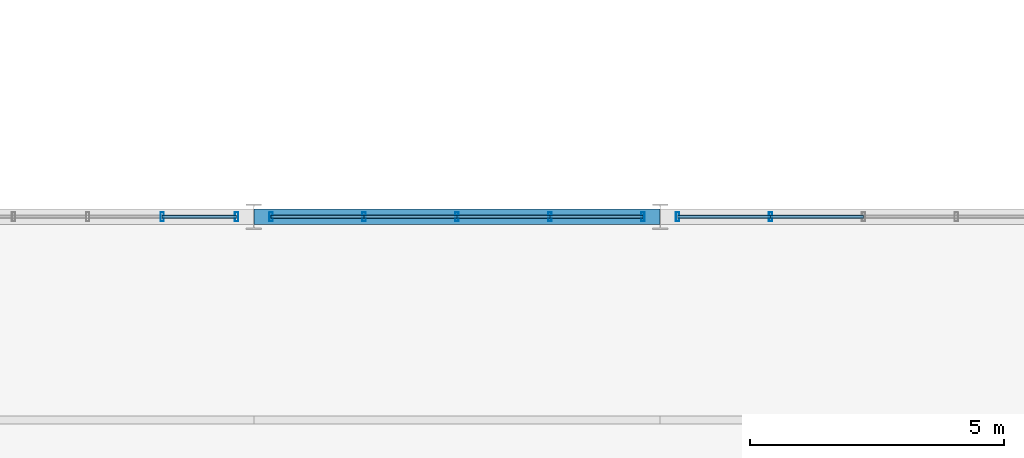
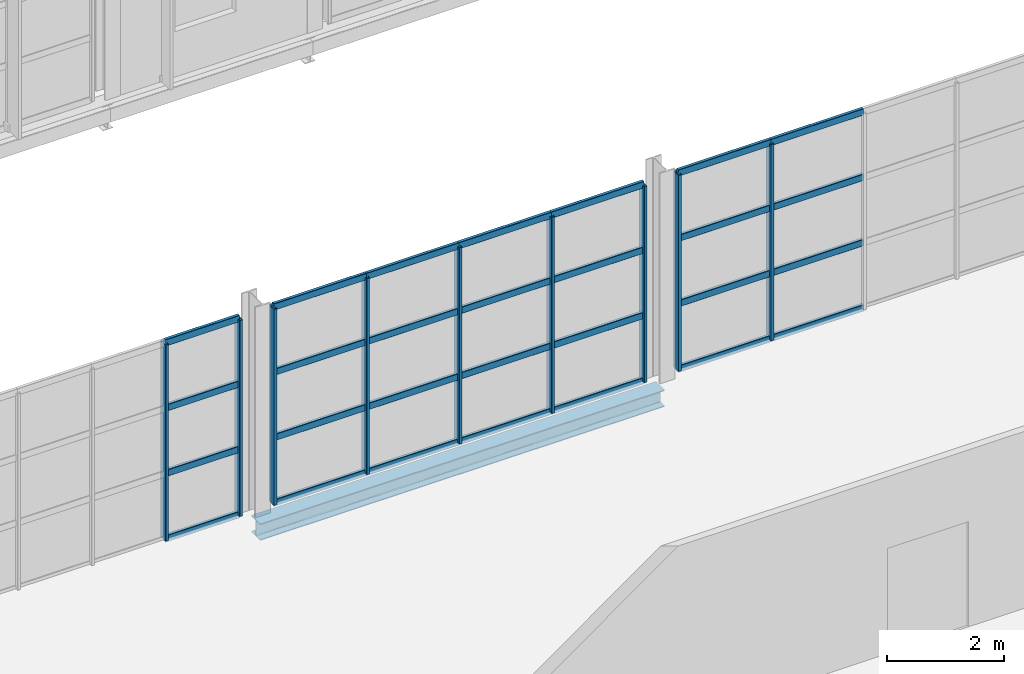
# One storey, part 111 of 153: 37 members, 1 beam, 3 elements without a shape of their own.
"""IFC4 building model written with IfcOpenShell, lengths in metres."""

from ifc_helpers import new_model, si_unit, derived_unit, direction, frame, origin, origin_2d, place, context, subcontext, project, spatial, hollow_rectangle, i_section, extrude, material, material_profile, profile_set, type_object, element, aggregate, save


model = new_model("IFC4")

# Units and contexts
model_context = context("Model", 3, precision=1e-05, world=origin(), true_north=direction((0.0, 1.0)))
body_context = subcontext(model_context, "Body", "Model", "MODEL_VIEW")
ifc_project = project(units=[si_unit("LENGTHUNIT", "METRE"), si_unit("AREAUNIT", "SQUARE_METRE"), si_unit("VOLUMEUNIT", "CUBIC_METRE"), si_unit("PLANEANGLEUNIT", "RADIAN"), si_unit("MASSUNIT", "GRAM", prefix="KILO"), derived_unit("THERMALTRANSMITTANCEUNIT", [(si_unit("POWERUNIT", "WATT"), 1), (si_unit("LENGTHUNIT", "METRE"), -2), (si_unit("THERMODYNAMICTEMPERATUREUNIT", "KELVIN"), -1)])], contexts=[model_context])

# Site, building, storey
site_placement = place(None, origin())
site = spatial("IfcSite", under=ifc_project, at=site_placement, CompositionType="ELEMENT")
building_placement = place(site_placement, origin())
building = spatial("IfcBuilding", under=site, at=building_placement, Name="Keldorne Ridge Multi-Sports Centre", CompositionType="ELEMENT")
storey_placement = place(building_placement, frame((0.0, 0.0, 9.60009765625)))
storey = spatial("IfcBuildingStorey", under=building, at=storey_placement, Name="L02", CompositionType="ELEMENT", Elevation=9.60009765625)

# Beam
ifc_material_1 = material(Name="Steel S355", Category="steel")
ifc_material_profile_1 = material_profile(ifc_material_1, i_section(OverallWidth=0.300048828125, OverallDepth=0.35009765625, WebThickness=0.010009765625, FlangeThickness=0.017578125, FilletRadius=0.027099609375, at=origin_2d()), Name="HEA 360")
ifc_profile_set_1 = profile_set([ifc_material_profile_1], Name="Steel S355")
beam_type = type_object("IfcBeamType", Name="BM-SP-03", PredefinedType="SPANDREL", material=ifc_profile_set_1)
beam_placement = place(storey_placement, frame((136.0, 54.0, -0.4150390625), z_axis=(1.0, 0.0, 0.0), x_axis=(0.0, 1.0, 0.0)))
element("IfcBeam", 1, at=beam_placement, inside=storey, type_object=beam_type, Name="L02 Stacked Courts beam 5.13", PredefinedType="SPANDREL", context=body_context, shape_type="SweptSolid", body=[
    extrude(i_section(OverallWidth=0.300048828125, OverallDepth=0.35009765625, WebThickness=0.010009765625, FlangeThickness=0.017578125, FilletRadius=0.027099609375, at=origin_2d()), origin(), (0.0, 0.0, 1.0), 8.0),
])

# Curtain wall, members
ifc_material_2 = material(Name="Anodized aluminium", Category="aluminium")
curtain_wall_type_1 = type_object("IfcCurtainWallType", Name="CW-CW-07", PredefinedType="NOTDEFINED", material=ifc_material_2)
curtain_wall_1_placement = place(storey_placement, origin())
curtain_wall_1 = element("IfcCurtainWall", 2, at=curtain_wall_1_placement, inside=storey, type_object=curtain_wall_type_1, Name="Upper Courts north glazing 111", PredefinedType="NOTDEFINED")
ifc_material_profile_2 = material_profile(ifc_material_2, hollow_rectangle(XDim=0.06494140625, YDim=0.179931640625, WallThickness=0.00439453125, InnerFilletRadius=0.00439453125, OuterFilletRadius=0.009033203125, at=origin_2d()), Name="ALU MULLION 180x65x4.5")
ifc_profile_set_2 = profile_set([ifc_material_profile_2], Name="Anodized aluminium")
member_type_1 = type_object("IfcMemberType", Name="MEM-ML-01", PredefinedType="MULLION", material=ifc_profile_set_2)
member_1_placement = place(storey_placement, frame((135.659912109375, 54.0, 0.0), z_axis=(0.0, 0.0, 1.0), x_axis=(1.0, 0.0, 0.0)))
member_1 = element("IfcMember", 3, at=member_1_placement, type_object=member_type_1, Name="CW-111 vertical mullion 1", PredefinedType="MULLION", context=body_context, shape_type="SweptSolid", body=[
    extrude(hollow_rectangle(XDim=0.06494140625, YDim=0.179931640625, WallThickness=0.00439453125, InnerFilletRadius=0.00439453125, OuterFilletRadius=0.009033203125, at=origin_2d()), origin(), (0.0, 0.0, 1.0), 4.099853515625),
])
member_2_placement = place(storey_placement, frame((134.196044921875, 54.0, 0.0), z_axis=(0.0, 0.0, 1.0), x_axis=(1.0, 0.0, 0.0)))
member_2 = element("IfcMember", 4, at=member_2_placement, type_object=member_type_1, Name="CW-111 vertical mullion 2", PredefinedType="MULLION", context=body_context, shape_type="SweptSolid", body=[
    extrude(hollow_rectangle(XDim=0.06494140625, YDim=0.179931640625, WallThickness=0.00439453125, InnerFilletRadius=0.00439453125, OuterFilletRadius=0.009033203125, at=origin_2d()), origin(), (0.0, 0.0, 1.0), 4.099853515625),
])

curtain_wall_type_2 = type_object("IfcCurtainWallType", Name="CW-CW-05", PredefinedType="NOTDEFINED", material=ifc_material_2)
curtain_wall_2_placement = place(storey_placement, origin())
curtain_wall_2 = element("IfcCurtainWall", 5, at=curtain_wall_2_placement, inside=storey, type_object=curtain_wall_type_2, Name="Upper Courts north glazing 117", PredefinedType="NOTDEFINED")
member_3_placement = place(storey_placement, frame((143.659912109375, 54.0, 0.0), z_axis=(0.0, 0.0, 1.0), x_axis=(1.0, 0.0, 0.0)))
member_3 = element("IfcMember", 6, at=member_3_placement, type_object=member_type_1, Name="CW-117 vertical mullion 1", PredefinedType="MULLION", context=body_context, shape_type="SweptSolid", body=[
    extrude(hollow_rectangle(XDim=0.06494140625, YDim=0.179931640625, WallThickness=0.00439453125, InnerFilletRadius=0.00439453125, OuterFilletRadius=0.009033203125, at=origin_2d()), origin(), (0.0, 0.0, 1.0), 4.099853515625),
])
member_4_placement = place(storey_placement, frame((141.830078125, 54.0, 0.0), z_axis=(0.0, 0.0, 1.0), x_axis=(1.0, 0.0, 0.0)))
member_4 = element("IfcMember", 7, at=member_4_placement, type_object=member_type_1, Name="CW-117 vertical mullion 2", PredefinedType="MULLION", context=body_context, shape_type="SweptSolid", body=[
    extrude(hollow_rectangle(XDim=0.06494140625, YDim=0.179931640625, WallThickness=0.00439453125, InnerFilletRadius=0.00439453125, OuterFilletRadius=0.009033203125, at=origin_2d()), origin(), (0.0, 0.0, 1.0), 4.099853515625),
])
member_5_placement = place(storey_placement, frame((140.0, 54.0, 0.0), z_axis=(0.0, 0.0, 1.0), x_axis=(1.0, 0.0, 0.0)))
member_5 = element("IfcMember", 8, at=member_5_placement, type_object=member_type_1, Name="CW-117 vertical mullion 3", PredefinedType="MULLION", context=body_context, shape_type="SweptSolid", body=[
    extrude(hollow_rectangle(XDim=0.06494140625, YDim=0.179931640625, WallThickness=0.00439453125, InnerFilletRadius=0.00439453125, OuterFilletRadius=0.009033203125, at=origin_2d()), origin(), (0.0, 0.0, 1.0), 4.099853515625),
])
member_6_placement = place(storey_placement, frame((138.169921875, 54.0, 0.0), z_axis=(0.0, 0.0, 1.0), x_axis=(1.0, 0.0, 0.0)))
member_6 = element("IfcMember", 9, at=member_6_placement, type_object=member_type_1, Name="CW-117 vertical mullion 4", PredefinedType="MULLION", context=body_context, shape_type="SweptSolid", body=[
    extrude(hollow_rectangle(XDim=0.06494140625, YDim=0.179931640625, WallThickness=0.00439453125, InnerFilletRadius=0.00439453125, OuterFilletRadius=0.009033203125, at=origin_2d()), origin(), (0.0, 0.0, 1.0), 4.099853515625),
])
member_7_placement = place(storey_placement, frame((136.340087890625, 54.0, 0.0), z_axis=(0.0, 0.0, 1.0), x_axis=(1.0, 0.0, 0.0)))
member_7 = element("IfcMember", 10, at=member_7_placement, type_object=member_type_1, Name="CW-117 vertical mullion 5", PredefinedType="MULLION", context=body_context, shape_type="SweptSolid", body=[
    extrude(hollow_rectangle(XDim=0.06494140625, YDim=0.179931640625, WallThickness=0.00439453125, InnerFilletRadius=0.00439453125, OuterFilletRadius=0.009033203125, at=origin_2d()), origin(), (0.0, 0.0, 1.0), 4.099853515625),
])

curtain_wall_type_3 = type_object("IfcCurtainWallType", Name="CW-CW-03", PredefinedType="NOTDEFINED", material=ifc_material_2)
curtain_wall_3_placement = place(storey_placement, origin())
curtain_wall_3 = element("IfcCurtainWall", 11, at=curtain_wall_3_placement, inside=storey, type_object=curtain_wall_type_3, Name="Upper Courts north glazing 123", PredefinedType="NOTDEFINED")
member_8_placement = place(storey_placement, frame((146.169921875, 54.0, 0.0), z_axis=(0.0, 0.0, 1.0), x_axis=(1.0, 0.0, 0.0)))
member_8 = element("IfcMember", 12, at=member_8_placement, type_object=member_type_1, Name="CW-123 vertical mullion 4", PredefinedType="MULLION", context=body_context, shape_type="SweptSolid", body=[
    extrude(hollow_rectangle(XDim=0.06494140625, YDim=0.179931640625, WallThickness=0.00439453125, InnerFilletRadius=0.00439453125, OuterFilletRadius=0.009033203125, at=origin_2d()), origin(), (0.0, 0.0, 1.0), 4.099853515625),
])
member_9_placement = place(storey_placement, frame((144.340087890625, 54.0, 0.0), z_axis=(0.0, 0.0, 1.0), x_axis=(1.0, 0.0, 0.0)))
member_9 = element("IfcMember", 13, at=member_9_placement, type_object=member_type_1, Name="CW-123 vertical mullion 5", PredefinedType="MULLION", context=body_context, shape_type="SweptSolid", body=[
    extrude(hollow_rectangle(XDim=0.06494140625, YDim=0.179931640625, WallThickness=0.00439453125, InnerFilletRadius=0.00439453125, OuterFilletRadius=0.009033203125, at=origin_2d()), origin(), (0.0, 0.0, 1.0), 4.099853515625),
])

# Member
ifc_material_profile_3 = material_profile(ifc_material_2, hollow_rectangle(XDim=0.06494140625, YDim=0.139892578125, WallThickness=0.00439453125, InnerFilletRadius=0.00439453125, OuterFilletRadius=0.009033203125, at=origin_2d()), Name="ALU TRANSOM 140x65x4.5")
ifc_profile_set_3 = profile_set([ifc_material_profile_3], Name="Anodized aluminium")
member_type_2 = type_object("IfcMemberType", Name="MEM-TR-01", PredefinedType="USERDEFINED", material=ifc_profile_set_3)
member_10_placement = place(storey_placement, frame((135.659912109375, 54.0, 0.0), z_axis=(-1.0, 0.0, 0.0), x_axis=(0.0, -1.0, 0.0)))
member_10 = element("IfcMember", 14, at=member_10_placement, type_object=member_type_2, Name="CW-111 transom 1.1", ObjectType="TRANSOM", PredefinedType="USERDEFINED", context=body_context, shape_type="SweptSolid", body=[
    extrude(hollow_rectangle(XDim=0.06494140625, YDim=0.139892578125, WallThickness=0.00439453125, InnerFilletRadius=0.00439453125, OuterFilletRadius=0.009033203125, at=origin_2d()), origin(), (0.0, 0.0, 1.0), 1.4638671875),
])

member_11_placement = place(storey_placement, frame((135.659912109375, 54.0, 1.36669921875), z_axis=(-1.0, 0.0, 0.0), x_axis=(0.0, -1.0, 0.0)))
member_11 = element("IfcMember", 15, at=member_11_placement, type_object=member_type_2, Name="CW-111 transom 1.2", ObjectType="TRANSOM", PredefinedType="USERDEFINED", context=body_context, shape_type="SweptSolid", body=[
    extrude(hollow_rectangle(XDim=0.06494140625, YDim=0.139892578125, WallThickness=0.00439453125, InnerFilletRadius=0.00439453125, OuterFilletRadius=0.009033203125, at=origin_2d()), origin(), (0.0, 0.0, 1.0), 1.4638671875),
])

member_12_placement = place(storey_placement, frame((135.659912109375, 54.0, 2.733154296875), z_axis=(-1.0, 0.0, 0.0), x_axis=(0.0, -1.0, 0.0)))
member_12 = element("IfcMember", 16, at=member_12_placement, type_object=member_type_2, Name="CW-111 transom 1.3", ObjectType="TRANSOM", PredefinedType="USERDEFINED", context=body_context, shape_type="SweptSolid", body=[
    extrude(hollow_rectangle(XDim=0.06494140625, YDim=0.139892578125, WallThickness=0.00439453125, InnerFilletRadius=0.00439453125, OuterFilletRadius=0.009033203125, at=origin_2d()), origin(), (0.0, 0.0, 1.0), 1.4638671875),
])

member_13_placement = place(storey_placement, frame((135.659912109375, 54.0, 4.099853515625), z_axis=(-1.0, 0.0, 0.0), x_axis=(0.0, -1.0, 0.0)))
member_13 = element("IfcMember", 17, at=member_13_placement, type_object=member_type_2, Name="CW-111 transom 1.4", ObjectType="TRANSOM", PredefinedType="USERDEFINED", context=body_context, shape_type="SweptSolid", body=[
    extrude(hollow_rectangle(XDim=0.06494140625, YDim=0.139892578125, WallThickness=0.00439453125, InnerFilletRadius=0.00439453125, OuterFilletRadius=0.009033203125, at=origin_2d()), origin(), (0.0, 0.0, 1.0), 1.4638671875),
])

aggregate(curtain_wall_1, [member_1, member_2, member_10, member_11, member_12, member_13])

member_14_placement = place(storey_placement, frame((143.659912109375, 54.0, 0.0), z_axis=(-1.0, 0.0, 0.0), x_axis=(0.0, -1.0, 0.0)))
member_14 = element("IfcMember", 18, at=member_14_placement, type_object=member_type_2, Name="CW-117 transom 1.1", ObjectType="TRANSOM", PredefinedType="USERDEFINED", context=body_context, shape_type="SweptSolid", body=[
    extrude(hollow_rectangle(XDim=0.06494140625, YDim=0.139892578125, WallThickness=0.00439453125, InnerFilletRadius=0.00439453125, OuterFilletRadius=0.009033203125, at=origin_2d()), origin(), (0.0, 0.0, 1.0), 1.829833984375),
])

member_15_placement = place(storey_placement, frame((143.659912109375, 54.0, 1.36669921875), z_axis=(-1.0, 0.0, 0.0), x_axis=(0.0, -1.0, 0.0)))
member_15 = element("IfcMember", 19, at=member_15_placement, type_object=member_type_2, Name="CW-117 transom 1.2", ObjectType="TRANSOM", PredefinedType="USERDEFINED", context=body_context, shape_type="SweptSolid", body=[
    extrude(hollow_rectangle(XDim=0.06494140625, YDim=0.139892578125, WallThickness=0.00439453125, InnerFilletRadius=0.00439453125, OuterFilletRadius=0.009033203125, at=origin_2d()), origin(), (0.0, 0.0, 1.0), 1.829833984375),
])

member_16_placement = place(storey_placement, frame((143.659912109375, 54.0, 2.733154296875), z_axis=(-1.0, 0.0, 0.0), x_axis=(0.0, -1.0, 0.0)))
member_16 = element("IfcMember", 20, at=member_16_placement, type_object=member_type_2, Name="CW-117 transom 1.3", ObjectType="TRANSOM", PredefinedType="USERDEFINED", context=body_context, shape_type="SweptSolid", body=[
    extrude(hollow_rectangle(XDim=0.06494140625, YDim=0.139892578125, WallThickness=0.00439453125, InnerFilletRadius=0.00439453125, OuterFilletRadius=0.009033203125, at=origin_2d()), origin(), (0.0, 0.0, 1.0), 1.829833984375),
])

member_17_placement = place(storey_placement, frame((143.659912109375, 54.0, 4.099853515625), z_axis=(-1.0, 0.0, 0.0), x_axis=(0.0, -1.0, 0.0)))
member_17 = element("IfcMember", 21, at=member_17_placement, type_object=member_type_2, Name="CW-117 transom 1.4", ObjectType="TRANSOM", PredefinedType="USERDEFINED", context=body_context, shape_type="SweptSolid", body=[
    extrude(hollow_rectangle(XDim=0.06494140625, YDim=0.139892578125, WallThickness=0.00439453125, InnerFilletRadius=0.00439453125, OuterFilletRadius=0.009033203125, at=origin_2d()), origin(), (0.0, 0.0, 1.0), 1.829833984375),
])

member_18_placement = place(storey_placement, frame((141.830078125, 54.0, 0.0), z_axis=(-1.0, 0.0, 0.0), x_axis=(0.0, -1.0, 0.0)))
member_18 = element("IfcMember", 22, at=member_18_placement, type_object=member_type_2, Name="CW-117 transom 2.1", ObjectType="TRANSOM", PredefinedType="USERDEFINED", context=body_context, shape_type="SweptSolid", body=[
    extrude(hollow_rectangle(XDim=0.06494140625, YDim=0.139892578125, WallThickness=0.00439453125, InnerFilletRadius=0.00439453125, OuterFilletRadius=0.009033203125, at=origin_2d()), origin(), (0.0, 0.0, 1.0), 1.830078125),
])

member_19_placement = place(storey_placement, frame((141.830078125, 54.0, 1.36669921875), z_axis=(-1.0, 0.0, 0.0), x_axis=(0.0, -1.0, 0.0)))
member_19 = element("IfcMember", 23, at=member_19_placement, type_object=member_type_2, Name="CW-117 transom 2.2", ObjectType="TRANSOM", PredefinedType="USERDEFINED", context=body_context, shape_type="SweptSolid", body=[
    extrude(hollow_rectangle(XDim=0.06494140625, YDim=0.139892578125, WallThickness=0.00439453125, InnerFilletRadius=0.00439453125, OuterFilletRadius=0.009033203125, at=origin_2d()), origin(), (0.0, 0.0, 1.0), 1.830078125),
])

member_20_placement = place(storey_placement, frame((141.830078125, 54.0, 2.733154296875), z_axis=(-1.0, 0.0, 0.0), x_axis=(0.0, -1.0, 0.0)))
member_20 = element("IfcMember", 24, at=member_20_placement, type_object=member_type_2, Name="CW-117 transom 2.3", ObjectType="TRANSOM", PredefinedType="USERDEFINED", context=body_context, shape_type="SweptSolid", body=[
    extrude(hollow_rectangle(XDim=0.06494140625, YDim=0.139892578125, WallThickness=0.00439453125, InnerFilletRadius=0.00439453125, OuterFilletRadius=0.009033203125, at=origin_2d()), origin(), (0.0, 0.0, 1.0), 1.830078125),
])

member_21_placement = place(storey_placement, frame((141.830078125, 54.0, 4.099853515625), z_axis=(-1.0, 0.0, 0.0), x_axis=(0.0, -1.0, 0.0)))
member_21 = element("IfcMember", 25, at=member_21_placement, type_object=member_type_2, Name="CW-117 transom 2.4", ObjectType="TRANSOM", PredefinedType="USERDEFINED", context=body_context, shape_type="SweptSolid", body=[
    extrude(hollow_rectangle(XDim=0.06494140625, YDim=0.139892578125, WallThickness=0.00439453125, InnerFilletRadius=0.00439453125, OuterFilletRadius=0.009033203125, at=origin_2d()), origin(), (0.0, 0.0, 1.0), 1.830078125),
])

member_22_placement = place(storey_placement, frame((140.0, 54.0, 0.0), z_axis=(-1.0, 0.0, 0.0), x_axis=(0.0, -1.0, 0.0)))
member_22 = element("IfcMember", 26, at=member_22_placement, type_object=member_type_2, Name="CW-117 transom 3.1", ObjectType="TRANSOM", PredefinedType="USERDEFINED", context=body_context, shape_type="SweptSolid", body=[
    extrude(hollow_rectangle(XDim=0.06494140625, YDim=0.139892578125, WallThickness=0.00439453125, InnerFilletRadius=0.00439453125, OuterFilletRadius=0.009033203125, at=origin_2d()), origin(), (0.0, 0.0, 1.0), 1.830078125),
])

member_23_placement = place(storey_placement, frame((140.0, 54.0, 1.36669921875), z_axis=(-1.0, 0.0, 0.0), x_axis=(0.0, -1.0, 0.0)))
member_23 = element("IfcMember", 27, at=member_23_placement, type_object=member_type_2, Name="CW-117 transom 3.2", ObjectType="TRANSOM", PredefinedType="USERDEFINED", context=body_context, shape_type="SweptSolid", body=[
    extrude(hollow_rectangle(XDim=0.06494140625, YDim=0.139892578125, WallThickness=0.00439453125, InnerFilletRadius=0.00439453125, OuterFilletRadius=0.009033203125, at=origin_2d()), origin(), (0.0, 0.0, 1.0), 1.830078125),
])

member_24_placement = place(storey_placement, frame((140.0, 54.0, 2.733154296875), z_axis=(-1.0, 0.0, 0.0), x_axis=(0.0, -1.0, 0.0)))
member_24 = element("IfcMember", 28, at=member_24_placement, type_object=member_type_2, Name="CW-117 transom 3.3", ObjectType="TRANSOM", PredefinedType="USERDEFINED", context=body_context, shape_type="SweptSolid", body=[
    extrude(hollow_rectangle(XDim=0.06494140625, YDim=0.139892578125, WallThickness=0.00439453125, InnerFilletRadius=0.00439453125, OuterFilletRadius=0.009033203125, at=origin_2d()), origin(), (0.0, 0.0, 1.0), 1.830078125),
])

member_25_placement = place(storey_placement, frame((140.0, 54.0, 4.099853515625), z_axis=(-1.0, 0.0, 0.0), x_axis=(0.0, -1.0, 0.0)))
member_25 = element("IfcMember", 29, at=member_25_placement, type_object=member_type_2, Name="CW-117 transom 3.4", ObjectType="TRANSOM", PredefinedType="USERDEFINED", context=body_context, shape_type="SweptSolid", body=[
    extrude(hollow_rectangle(XDim=0.06494140625, YDim=0.139892578125, WallThickness=0.00439453125, InnerFilletRadius=0.00439453125, OuterFilletRadius=0.009033203125, at=origin_2d()), origin(), (0.0, 0.0, 1.0), 1.830078125),
])

member_26_placement = place(storey_placement, frame((138.169921875, 54.0, 0.0), z_axis=(-1.0, 0.0, 0.0), x_axis=(0.0, -1.0, 0.0)))
member_26 = element("IfcMember", 30, at=member_26_placement, type_object=member_type_2, Name="CW-117 transom 4.1", ObjectType="TRANSOM", PredefinedType="USERDEFINED", context=body_context, shape_type="SweptSolid", body=[
    extrude(hollow_rectangle(XDim=0.06494140625, YDim=0.139892578125, WallThickness=0.00439453125, InnerFilletRadius=0.00439453125, OuterFilletRadius=0.009033203125, at=origin_2d()), origin(), (0.0, 0.0, 1.0), 1.829833984375),
])

member_27_placement = place(storey_placement, frame((138.169921875, 54.0, 1.36669921875), z_axis=(-1.0, 0.0, 0.0), x_axis=(0.0, -1.0, 0.0)))
member_27 = element("IfcMember", 31, at=member_27_placement, type_object=member_type_2, Name="CW-117 transom 4.2", ObjectType="TRANSOM", PredefinedType="USERDEFINED", context=body_context, shape_type="SweptSolid", body=[
    extrude(hollow_rectangle(XDim=0.06494140625, YDim=0.139892578125, WallThickness=0.00439453125, InnerFilletRadius=0.00439453125, OuterFilletRadius=0.009033203125, at=origin_2d()), origin(), (0.0, 0.0, 1.0), 1.829833984375),
])

member_28_placement = place(storey_placement, frame((138.169921875, 54.0, 2.733154296875), z_axis=(-1.0, 0.0, 0.0), x_axis=(0.0, -1.0, 0.0)))
member_28 = element("IfcMember", 32, at=member_28_placement, type_object=member_type_2, Name="CW-117 transom 4.3", ObjectType="TRANSOM", PredefinedType="USERDEFINED", context=body_context, shape_type="SweptSolid", body=[
    extrude(hollow_rectangle(XDim=0.06494140625, YDim=0.139892578125, WallThickness=0.00439453125, InnerFilletRadius=0.00439453125, OuterFilletRadius=0.009033203125, at=origin_2d()), origin(), (0.0, 0.0, 1.0), 1.829833984375),
])

member_29_placement = place(storey_placement, frame((138.169921875, 54.0, 4.099853515625), z_axis=(-1.0, 0.0, 0.0), x_axis=(0.0, -1.0, 0.0)))
member_29 = element("IfcMember", 33, at=member_29_placement, type_object=member_type_2, Name="CW-117 transom 4.4", ObjectType="TRANSOM", PredefinedType="USERDEFINED", context=body_context, shape_type="SweptSolid", body=[
    extrude(hollow_rectangle(XDim=0.06494140625, YDim=0.139892578125, WallThickness=0.00439453125, InnerFilletRadius=0.00439453125, OuterFilletRadius=0.009033203125, at=origin_2d()), origin(), (0.0, 0.0, 1.0), 1.829833984375),
])

aggregate(curtain_wall_2, [member_3, member_4, member_5, member_6, member_7, member_14, member_15, member_16, member_17, member_18, member_19, member_20, member_21, member_22, member_23, member_24, member_25, member_26, member_27, member_28, member_29])

member_30_placement = place(storey_placement, frame((148.0, 54.0, 0.0), z_axis=(-1.0, 0.0, 0.0), x_axis=(0.0, -1.0, 0.0)))
member_30 = element("IfcMember", 34, at=member_30_placement, type_object=member_type_2, Name="CW-123 transom 3.1", ObjectType="TRANSOM", PredefinedType="USERDEFINED", context=body_context, shape_type="SweptSolid", body=[
    extrude(hollow_rectangle(XDim=0.06494140625, YDim=0.139892578125, WallThickness=0.00439453125, InnerFilletRadius=0.00439453125, OuterFilletRadius=0.009033203125, at=origin_2d()), origin(), (0.0, 0.0, 1.0), 1.830078125),
])

member_31_placement = place(storey_placement, frame((148.0, 54.0, 1.36669921875), z_axis=(-1.0, 0.0, 0.0), x_axis=(0.0, -1.0, 0.0)))
member_31 = element("IfcMember", 35, at=member_31_placement, type_object=member_type_2, Name="CW-123 transom 3.2", ObjectType="TRANSOM", PredefinedType="USERDEFINED", context=body_context, shape_type="SweptSolid", body=[
    extrude(hollow_rectangle(XDim=0.06494140625, YDim=0.139892578125, WallThickness=0.00439453125, InnerFilletRadius=0.00439453125, OuterFilletRadius=0.009033203125, at=origin_2d()), origin(), (0.0, 0.0, 1.0), 1.830078125),
])

member_32_placement = place(storey_placement, frame((148.0, 54.0, 2.733154296875), z_axis=(-1.0, 0.0, 0.0), x_axis=(0.0, -1.0, 0.0)))
member_32 = element("IfcMember", 36, at=member_32_placement, type_object=member_type_2, Name="CW-123 transom 3.3", ObjectType="TRANSOM", PredefinedType="USERDEFINED", context=body_context, shape_type="SweptSolid", body=[
    extrude(hollow_rectangle(XDim=0.06494140625, YDim=0.139892578125, WallThickness=0.00439453125, InnerFilletRadius=0.00439453125, OuterFilletRadius=0.009033203125, at=origin_2d()), origin(), (0.0, 0.0, 1.0), 1.830078125),
])

member_33_placement = place(storey_placement, frame((148.0, 54.0, 4.099853515625), z_axis=(-1.0, 0.0, 0.0), x_axis=(0.0, -1.0, 0.0)))
member_33 = element("IfcMember", 37, at=member_33_placement, type_object=member_type_2, Name="CW-123 transom 3.4", ObjectType="TRANSOM", PredefinedType="USERDEFINED", context=body_context, shape_type="SweptSolid", body=[
    extrude(hollow_rectangle(XDim=0.06494140625, YDim=0.139892578125, WallThickness=0.00439453125, InnerFilletRadius=0.00439453125, OuterFilletRadius=0.009033203125, at=origin_2d()), origin(), (0.0, 0.0, 1.0), 1.830078125),
])

member_34_placement = place(storey_placement, frame((146.169921875, 54.0, 0.0), z_axis=(-1.0, 0.0, 0.0), x_axis=(0.0, -1.0, 0.0)))
member_34 = element("IfcMember", 38, at=member_34_placement, type_object=member_type_2, Name="CW-123 transom 4.1", ObjectType="TRANSOM", PredefinedType="USERDEFINED", context=body_context, shape_type="SweptSolid", body=[
    extrude(hollow_rectangle(XDim=0.06494140625, YDim=0.139892578125, WallThickness=0.00439453125, InnerFilletRadius=0.00439453125, OuterFilletRadius=0.009033203125, at=origin_2d()), origin(), (0.0, 0.0, 1.0), 1.829833984375),
])

member_35_placement = place(storey_placement, frame((146.169921875, 54.0, 1.36669921875), z_axis=(-1.0, 0.0, 0.0), x_axis=(0.0, -1.0, 0.0)))
member_35 = element("IfcMember", 39, at=member_35_placement, type_object=member_type_2, Name="CW-123 transom 4.2", ObjectType="TRANSOM", PredefinedType="USERDEFINED", context=body_context, shape_type="SweptSolid", body=[
    extrude(hollow_rectangle(XDim=0.06494140625, YDim=0.139892578125, WallThickness=0.00439453125, InnerFilletRadius=0.00439453125, OuterFilletRadius=0.009033203125, at=origin_2d()), origin(), (0.0, 0.0, 1.0), 1.829833984375),
])

member_36_placement = place(storey_placement, frame((146.169921875, 54.0, 2.733154296875), z_axis=(-1.0, 0.0, 0.0), x_axis=(0.0, -1.0, 0.0)))
member_36 = element("IfcMember", 40, at=member_36_placement, type_object=member_type_2, Name="CW-123 transom 4.3", ObjectType="TRANSOM", PredefinedType="USERDEFINED", context=body_context, shape_type="SweptSolid", body=[
    extrude(hollow_rectangle(XDim=0.06494140625, YDim=0.139892578125, WallThickness=0.00439453125, InnerFilletRadius=0.00439453125, OuterFilletRadius=0.009033203125, at=origin_2d()), origin(), (0.0, 0.0, 1.0), 1.829833984375),
])

member_37_placement = place(storey_placement, frame((146.169921875, 54.0, 4.099853515625), z_axis=(-1.0, 0.0, 0.0), x_axis=(0.0, -1.0, 0.0)))
member_37 = element("IfcMember", 41, at=member_37_placement, type_object=member_type_2, Name="CW-123 transom 4.4", ObjectType="TRANSOM", PredefinedType="USERDEFINED", context=body_context, shape_type="SweptSolid", body=[
    extrude(hollow_rectangle(XDim=0.06494140625, YDim=0.139892578125, WallThickness=0.00439453125, InnerFilletRadius=0.00439453125, OuterFilletRadius=0.009033203125, at=origin_2d()), origin(), (0.0, 0.0, 1.0), 1.829833984375),
])

aggregate(curtain_wall_3, [member_8, member_9, member_30, member_31, member_32, member_33, member_34, member_35, member_36, member_37])

save(model, "model.ifc")
